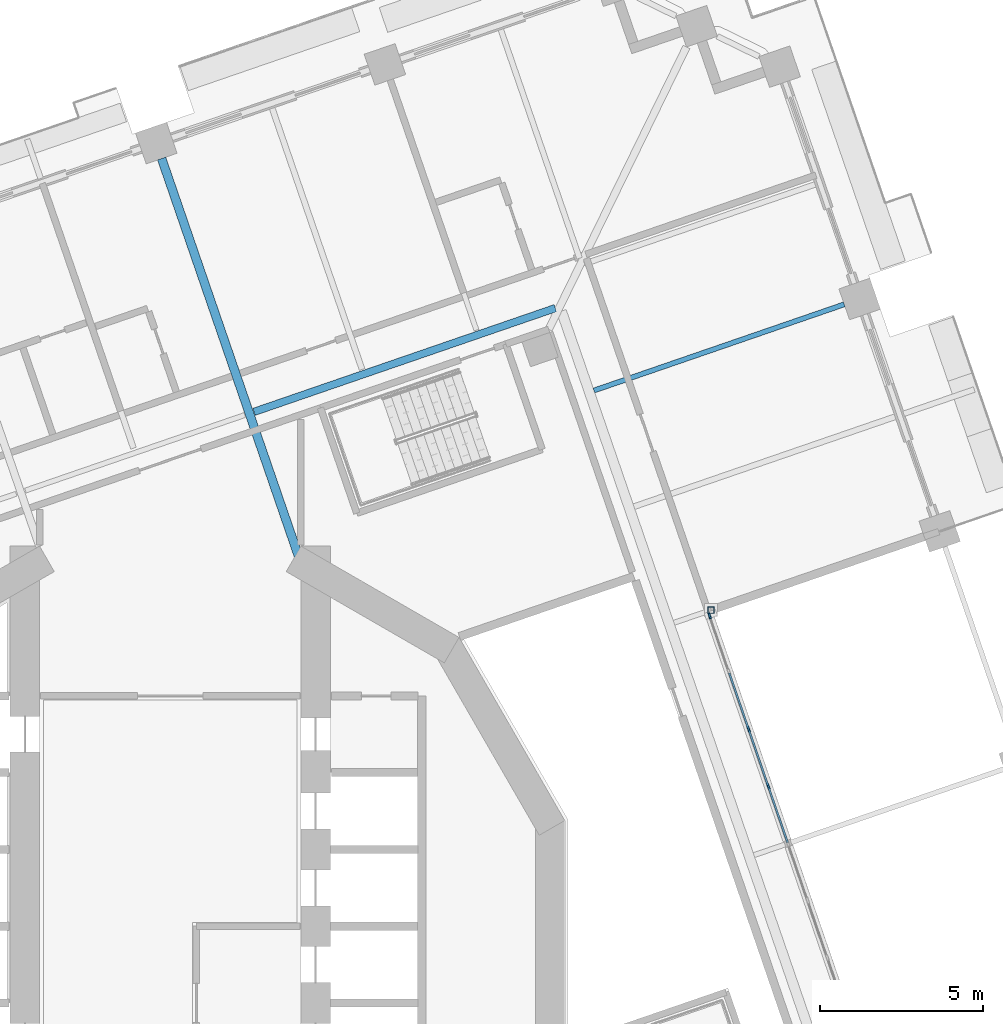
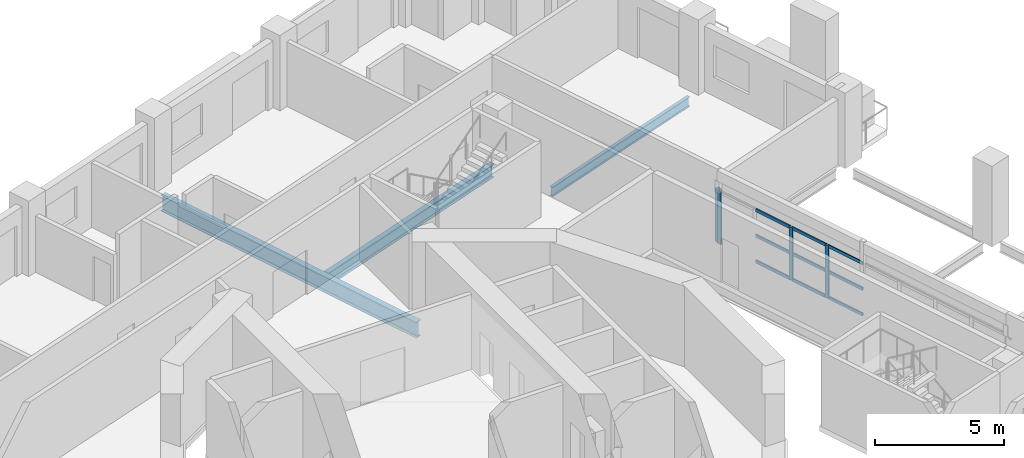
# One storey, part 4 of 22: 13 members, 3 beams, 1 element without a shape of its own.
"""IFC4 building model written with IfcOpenShell, lengths in metres."""

from ifc_helpers import new_model, si_unit, direction, frame, origin, origin_2d, place, context, subcontext, project, spatial, rectangle, hollow_rectangle, i_section, extrude, material, material_profile, profile_set, type_object, element, aggregate, save


model = new_model("IFC4")

# Units and contexts
model_context = context("Model", 3, precision=1e-05, world=origin(), true_north=direction((0.0, 1.0)))
body_context = subcontext(model_context, "Body", "Model", "MODEL_VIEW")
ifc_project = project(units=[si_unit("LENGTHUNIT", "METRE"), si_unit("AREAUNIT", "SQUARE_METRE"), si_unit("VOLUMEUNIT", "CUBIC_METRE"), si_unit("PLANEANGLEUNIT", "RADIAN"), si_unit("MASSUNIT", "GRAM", prefix="KILO")], contexts=[model_context])

# Site, building, storey
site_placement = place(None, origin())
site = spatial("IfcSite", under=ifc_project, at=site_placement, CompositionType="ELEMENT")
building_placement = place(site_placement, origin())
building = spatial("IfcBuilding", under=site, at=building_placement, Name="Cantera Rosa Tower", CompositionType="ELEMENT")
storey_placement = place(building_placement, frame((0.0, 0.0, 115.5)))
storey = spatial("IfcBuildingStorey", under=building, at=storey_placement, Name="L23", CompositionType="ELEMENT", Elevation=115.5)

# Curtain wall, members
ifc_material_1 = material(Name="Aluminium frame with clear glass", Category="aluminium")
curtain_wall_type = type_object("IfcCurtainWallType", Name="CW1 TERRACE POCKET GLAZING", PredefinedType="NOTDEFINED", material=ifc_material_1)
curtain_wall_placement = place(storey_placement, origin())
curtain_wall = element("IfcCurtainWall", 1, at=curtain_wall_placement, inside=storey, type_object=curtain_wall_type, Name="CW1 CW1", PredefinedType="NOTDEFINED")
ifc_material_2 = material(Name="Anodised bronze aluminium", Category="aluminium")
ifc_material_profile_1 = material_profile(ifc_material_2, rectangle(XDim=0.06005859375, YDim=0.179931640625, at=origin_2d()), Name="CW-MULLION 60x180 POCKET")
ifc_profile_set_1 = profile_set([ifc_material_profile_1], Name="Anodised bronze aluminium")
member_type_1 = type_object("IfcMemberType", Name="CW-MULLION 60x180 POCKET", PredefinedType="MULLION", material=ifc_profile_set_1)
member_1_placement = place(storey_placement, frame((18.303466796875, 4.281005859375, 0.0), z_axis=(0.0, 0.0, 1.0), x_axis=(-0.945518575588, -0.32556815449, 0.0)))
member_1 = element("IfcMember", 2, at=member_1_placement, type_object=member_type_1, Name="CW1 mullion 6", PredefinedType="MULLION", context=body_context, shape_type="SweptSolid", body=[
    extrude(rectangle(XDim=0.06005859375, YDim=0.179931640625, at=origin_2d()), origin(), (0.0, 0.0, 1.0), 2.47998046875),
])
member_2_placement = place(storey_placement, frame((17.70166015625, 6.029052734375, 0.0), z_axis=(0.0, 0.0, 1.0), x_axis=(-0.945518575588, -0.32556815449, 0.0)))
member_2 = element("IfcMember", 3, at=member_2_placement, type_object=member_type_1, Name="CW1 mullion 7", PredefinedType="MULLION", context=body_context, shape_type="SweptSolid", body=[
    extrude(rectangle(XDim=0.06005859375, YDim=0.179931640625, at=origin_2d()), origin(), (0.0, 0.0, 1.0), 2.47998046875),
])
member_3_placement = place(storey_placement, frame((16.507568359375, 9.496826171875, 0.0), z_axis=(0.0, 0.0, 1.0), x_axis=(-0.945518575588, -0.32556815449, 0.0)))
member_3 = element("IfcMember", 4, at=member_3_placement, type_object=member_type_1, Name="CW1 mullion 9", PredefinedType="MULLION", context=body_context, shape_type="SweptSolid", body=[
    extrude(rectangle(XDim=0.06005859375, YDim=0.179931640625, at=origin_2d()), origin(), (0.0, 0.0, 1.0), 2.47998046875),
])
ifc_material_3 = material(Name="Anodised bronze aluminium", Category="aluminium")
ifc_material_profile_2 = material_profile(ifc_material_3, rectangle(XDim=0.06005859375, YDim=0.139892578125, at=origin_2d()), Name="CW-TRANSOM 60x140 POCKET")
ifc_profile_set_2 = profile_set([ifc_material_profile_2], Name="Anodised bronze aluminium")
member_type_2 = type_object("IfcMemberType", Name="CW-TRANSOM 60x140 POCKET", PredefinedType="USERDEFINED", material=ifc_profile_set_2)
member_4_placement = place(storey_placement, frame((18.8955078125, 2.561279296875, 0.030029296875), z_axis=(-0.325506938428, 0.945539651752, 0.0), x_axis=(-0.945539651752, -0.325506938428, 0.0)))
member_4 = element("IfcMember", 5, at=member_4_placement, type_object=member_type_2, Name="CW1 transom 5.1", ObjectType="TRANSOM", PredefinedType="USERDEFINED", context=body_context, shape_type="SweptSolid", body=[
    extrude(rectangle(XDim=0.06005859375, YDim=0.139892578125, at=origin_2d()), origin(), (0.0, 0.0, 1.0), 1.788818359375),
])
member_5_placement = place(storey_placement, frame((18.8955078125, 2.561279296875, 1.239990234375), z_axis=(-0.325506938428, 0.945539651752, 0.0), x_axis=(-0.945539651752, -0.325506938428, 0.0)))
member_5 = element("IfcMember", 6, at=member_5_placement, type_object=member_type_2, Name="CW1 transom 5.2", ObjectType="TRANSOM", PredefinedType="USERDEFINED", context=body_context, shape_type="SweptSolid", body=[
    extrude(rectangle(XDim=0.06005859375, YDim=0.139892578125, at=origin_2d()), origin(), (0.0, 0.0, 1.0), 1.788818359375),
])
member_6_placement = place(storey_placement, frame((18.8955078125, 2.561279296875, 2.449951171875), z_axis=(-0.325506938428, 0.945539651752, 0.0), x_axis=(-0.945539651752, -0.325506938428, 0.0)))
member_6 = element("IfcMember", 7, at=member_6_placement, type_object=member_type_2, Name="CW1 transom 5.3", ObjectType="TRANSOM", PredefinedType="USERDEFINED", context=body_context, shape_type="SweptSolid", body=[
    extrude(rectangle(XDim=0.06005859375, YDim=0.139892578125, at=origin_2d()), origin(), (0.0, 0.0, 1.0), 1.788818359375),
])
member_7_placement = place(storey_placement, frame((18.293701171875, 4.309326171875, 0.030029296875), z_axis=(-0.325506938428, 0.945539651752, 0.0), x_axis=(-0.945539651752, -0.325506938428, 0.0)))
member_7 = element("IfcMember", 8, at=member_7_placement, type_object=member_type_2, Name="CW1 transom 6.1", ObjectType="TRANSOM", PredefinedType="USERDEFINED", context=body_context, shape_type="SweptSolid", body=[
    extrude(rectangle(XDim=0.06005859375, YDim=0.139892578125, at=origin_2d()), origin(), (0.0, 0.0, 1.0), 1.788818359375),
])
member_8_placement = place(storey_placement, frame((18.293701171875, 4.309326171875, 1.239990234375), z_axis=(-0.325506938428, 0.945539651752, 0.0), x_axis=(-0.945539651752, -0.325506938428, 0.0)))
member_8 = element("IfcMember", 9, at=member_8_placement, type_object=member_type_2, Name="CW1 transom 6.2", ObjectType="TRANSOM", PredefinedType="USERDEFINED", context=body_context, shape_type="SweptSolid", body=[
    extrude(rectangle(XDim=0.06005859375, YDim=0.139892578125, at=origin_2d()), origin(), (0.0, 0.0, 1.0), 1.788818359375),
])
member_9_placement = place(storey_placement, frame((18.293701171875, 4.309326171875, 2.449951171875), z_axis=(-0.325506938428, 0.945539651752, 0.0), x_axis=(-0.945539651752, -0.325506938428, 0.0)))
member_9 = element("IfcMember", 10, at=member_9_placement, type_object=member_type_2, Name="CW1 transom 6.3", ObjectType="TRANSOM", PredefinedType="USERDEFINED", context=body_context, shape_type="SweptSolid", body=[
    extrude(rectangle(XDim=0.06005859375, YDim=0.139892578125, at=origin_2d()), origin(), (0.0, 0.0, 1.0), 1.788818359375),
])
member_10_placement = place(storey_placement, frame((17.69189453125, 6.057373046875, 0.030029296875), z_axis=(-0.325628950391, 0.945497639694, 0.0), x_axis=(-0.945497639694, -0.325628950391, 0.0)))
member_10 = element("IfcMember", 11, at=member_10_placement, type_object=member_type_2, Name="CW1 transom 7.1", ObjectType="TRANSOM", PredefinedType="USERDEFINED", context=body_context, shape_type="SweptSolid", body=[
    extrude(rectangle(XDim=0.06005859375, YDim=0.139892578125, at=origin_2d()), origin(), (0.0, 0.0, 1.0), 1.788818359375),
])
member_11_placement = place(storey_placement, frame((17.69189453125, 6.057373046875, 1.239990234375), z_axis=(-0.325628950391, 0.945497639694, 0.0), x_axis=(-0.945497639694, -0.325628950391, 0.0)))
member_11 = element("IfcMember", 12, at=member_11_placement, type_object=member_type_2, Name="CW1 transom 7.2", ObjectType="TRANSOM", PredefinedType="USERDEFINED", context=body_context, shape_type="SweptSolid", body=[
    extrude(rectangle(XDim=0.06005859375, YDim=0.139892578125, at=origin_2d()), origin(), (0.0, 0.0, 1.0), 1.788818359375),
])
member_12_placement = place(storey_placement, frame((17.69189453125, 6.057373046875, 2.449951171875), z_axis=(-0.325628950391, 0.945497639694, 0.0), x_axis=(-0.945497639694, -0.325628950391, 0.0)))
member_12 = element("IfcMember", 13, at=member_12_placement, type_object=member_type_2, Name="CW1 transom 7.3", ObjectType="TRANSOM", PredefinedType="USERDEFINED", context=body_context, shape_type="SweptSolid", body=[
    extrude(rectangle(XDim=0.06005859375, YDim=0.139892578125, at=origin_2d()), origin(), (0.0, 0.0, 1.0), 1.788818359375),
])
aggregate(curtain_wall, [member_1, member_2, member_3, member_4, member_5, member_6, member_7, member_8, member_9, member_10, member_11, member_12])

# Member
ifc_material_4 = material(Name="Steel ASTM A992 (Fy 345 MPa)", Category="steel")
ifc_material_profile_3 = material_profile(ifc_material_4, hollow_rectangle(XDim=0.199951171875, YDim=0.199951171875, WallThickness=0.010009765625, at=origin_2d()), Name="LINTEL POST RHS 200x200x10")
ifc_profile_set_3 = profile_set([ifc_material_profile_3], Name="Steel ASTM A992 (Fy 345 MPa)")
member_type_3 = type_object("IfcMemberType", Name="LINTEL POST RHS 200x200x10", PredefinedType="USERDEFINED", material=ifc_profile_set_3)
member_13_placement = place(storey_placement, frame((16.551513671875, 9.67578125, 0.0), z_axis=(0.0, 0.0, 1.0), x_axis=(1.0, 0.0, 0.0)))
element("IfcMember", 14, at=member_13_placement, inside=storey, type_object=member_type_3, Name="LINTEL POST L23-2", ObjectType="LINTEL POST", PredefinedType="USERDEFINED", context=body_context, shape_type="SweptSolid", body=[
    extrude(hollow_rectangle(XDim=0.199951171875, YDim=0.199951171875, WallThickness=0.010009765625, at=origin_2d()), origin(), (0.0, 0.0, 1.0), 2.48193359375),
])

# Beams
ifc_material_5 = material(Name="Steel ASTM A992 (Fy 345 MPa)", Category="steel")
ifc_material_profile_4 = material_profile(ifc_material_5, i_section(OverallWidth=0.154052734375, OverallDepth=0.4599609375, WebThickness=0.009033203125, FlangeThickness=0.015380859375, FilletRadius=0.01025390625, at=origin_2d()), Name="W460X68")
ifc_profile_set_4 = profile_set([ifc_material_profile_4], Name="Steel ASTM A992 (Fy 345 MPa)")
beam_type_1 = type_object("IfcBeamType", Name="STEEL BEAM W460X68", PredefinedType="BEAM", material=ifc_profile_set_4)
beam_1_placement = place(storey_placement, frame((20.62744140625, 19.032470703125, -0.47998046875), z_axis=(-0.945523745635, -0.325553139197, 0.0), x_axis=(0.325553139197, -0.945523745635, 0.0)))
element("IfcBeam", 15, at=beam_1_placement, inside=storey, type_object=beam_type_1, Name="G-Z2-04 L23", PredefinedType="BEAM", context=body_context, shape_type="SweptSolid", body=[
    extrude(i_section(OverallWidth=0.154052734375, OverallDepth=0.4599609375, WebThickness=0.009033203125, FlangeThickness=0.015380859375, FilletRadius=0.01025390625, at=origin_2d()), origin(), (0.0, 0.0, 1.0), 8.099853515625),
])
ifc_material_6 = material(Name="Steel ASTM A992 (Fy 345 MPa)", Category="steel")
ifc_material_profile_5 = material_profile(ifc_material_6, i_section(OverallWidth=0.22900390625, OverallDepth=0.612060546875, WebThickness=0.011962890625, FlangeThickness=0.01953125, FilletRadius=0.0126953125, at=origin_2d()), Name="W610X125")
ifc_profile_set_5 = profile_set([ifc_material_profile_5], Name="Steel ASTM A992 (Fy 345 MPa)")
beam_type_2 = type_object("IfcBeamType", Name="STEEL BEAM W610X125", PredefinedType="BEAM", material=ifc_profile_set_5)
beam_2_placement = place(storey_placement, frame((2.564453125, 15.74267578125, -0.555908203125), z_axis=(0.945524824291, 0.325550006372, 0.0), x_axis=(-0.325550006372, 0.945524824291, 0.0)))
element("IfcBeam", 16, at=beam_2_placement, inside=storey, type_object=beam_type_2, Name="RB-Z2-04 L23", PredefinedType="BEAM", context=body_context, shape_type="SweptSolid", body=[
    extrude(i_section(OverallWidth=0.22900390625, OverallDepth=0.612060546875, WebThickness=0.011962890625, FlangeThickness=0.01953125, FilletRadius=0.0126953125, at=origin_2d()), origin(), (0.0, 0.0, 1.0), 9.749755859375),
])
ifc_material_7 = material(Name="Steel ASTM A992 (Fy 345 MPa)", Category="steel")
ifc_material_profile_6 = material_profile(ifc_material_7, i_section(OverallWidth=0.26708984375, OverallDepth=0.75390625, WebThickness=0.01318359375, FlangeThickness=0.01708984375, FilletRadius=0.0166015625, at=origin_2d()), Name="W760X147")
ifc_profile_set_6 = profile_set([ifc_material_profile_6], Name="Steel ASTM A992 (Fy 345 MPa)")
beam_type_3 = type_object("IfcBeamType", Name="STEEL BEAM W760X147", PredefinedType="BEAM", material=ifc_profile_set_6)
beam_3_placement = place(storey_placement, frame((-0.263427734375, 23.494384765625, -0.626953125), z_axis=(0.325569500581, -0.945518112091, 0.0), x_axis=(0.945518112091, 0.325569500581, 0.0)))
element("IfcBeam", 17, at=beam_3_placement, inside=storey, type_object=beam_type_3, Name="G-Z2-06 L23", PredefinedType="BEAM", context=body_context, shape_type="SweptSolid", body=[
    extrude(i_section(OverallWidth=0.26708984375, OverallDepth=0.75390625, WebThickness=0.01318359375, FlangeThickness=0.01708984375, FilletRadius=0.0166015625, at=origin_2d()), origin(), (0.0, 0.0, 1.0), 13.09521484375),
])

save(model, "model.ifc")
